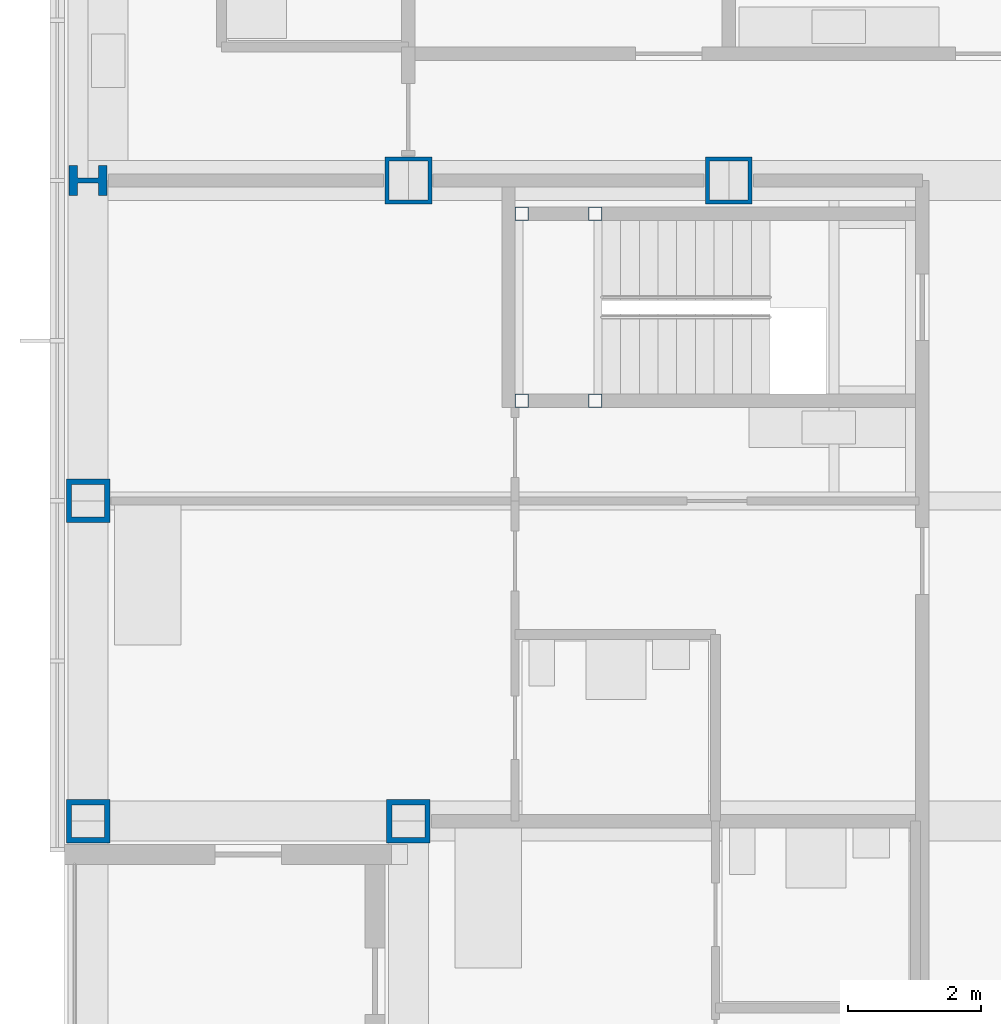
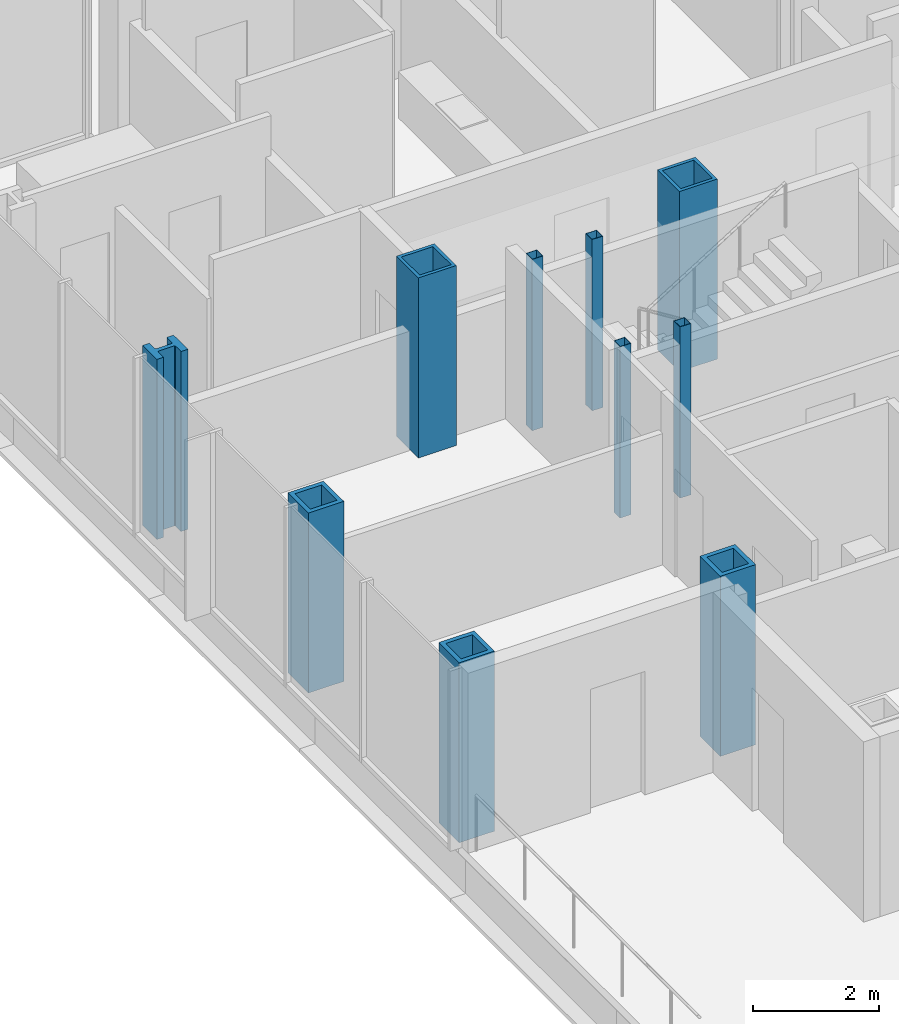
# One storey, part 3 of 19: 10 columns.
"""IFC4 building model written with IfcOpenShell, lengths in metres."""

from ifc_helpers import new_model, si_unit, direction, frame, origin, origin_2d, place, context, subcontext, project, spatial, hollow_rectangle, i_section, extrude, material, material_profile, profile_set, type_object, element, save


model = new_model("IFC4")

# Units and contexts
model_context = context("Model", 3, precision=1e-05, world=origin(), true_north=direction((0.0, 1.0)))
body_context = subcontext(model_context, "Body", "Model", "MODEL_VIEW")
ifc_project = project(units=[si_unit("LENGTHUNIT", "METRE"), si_unit("AREAUNIT", "SQUARE_METRE"), si_unit("VOLUMEUNIT", "CUBIC_METRE"), si_unit("PLANEANGLEUNIT", "RADIAN"), si_unit("MASSUNIT", "GRAM", prefix="KILO")], contexts=[model_context])

# Site, building, storey
site_placement = place(None, origin())
site = spatial("IfcSite", under=ifc_project, at=site_placement, CompositionType="ELEMENT")
building_placement = place(site_placement, origin())
building = spatial("IfcBuilding", under=site, at=building_placement, Name="Kvirike Care Tower", CompositionType="ELEMENT")
storey_placement = place(building_placement, frame((0.0, 0.0, 84.0)))
storey = spatial("IfcBuildingStorey", under=building, at=storey_placement, Name="L22", CompositionType="ELEMENT", Elevation=84.0)

# Columns
ifc_material_1 = material(Name="Steel S460", Category="steel")
ifc_material_profile_1 = material_profile(ifc_material_1, hollow_rectangle(XDim=0.64990234375, YDim=0.64990234375, WallThickness=0.080078125, at=origin_2d()), Name="BX 650x650x80")
ifc_profile_set_1 = profile_set([ifc_material_profile_1], Name="Steel S460")
column_type_1 = type_object("IfcColumnType", Name="COLUMN BX 650x650x80", PredefinedType="COLUMN", material=ifc_profile_set_1)
for number, where, z_axis, x_axis, name in (
    (1, (0.0, 33.60009765625, 0.0), (0.0, 0.0, 1.0), (0.0, 1.0, 0.0), "Column H3 L22"),
    (2, (0.0, 38.39990234375, 0.0), (0.0, 0.0, 1.0), (1.0, 0.0, 0.0), "Column J3 L22"),
    (3, (4.800048828125, 33.60009765625, 0.0), (0.0, 0.0, 1.0), (0.0, 1.0, 0.0), "Column H4 L22"),
):
    element("IfcColumn", number, at=place(storey_placement, frame(where, z_axis=z_axis, x_axis=x_axis)), inside=storey, type_object=column_type_1, Name=name, PredefinedType="COLUMN", context=body_context, shape_type="SweptSolid", body=[
        extrude(hollow_rectangle(XDim=0.64990234375, YDim=0.64990234375, WallThickness=0.080078125, at=origin_2d()), origin(), (0.0, 0.0, 1.0), 3.5),
    ])
ifc_material_2 = material(Name="Steel S460", Category="steel")
ifc_material_profile_2 = material_profile(ifc_material_2, hollow_rectangle(XDim=0.699951171875, YDim=0.699951171875, WallThickness=0.06005859375, at=origin_2d()), Name="BX 700x700x60")
ifc_profile_set_2 = profile_set([ifc_material_profile_2], Name="Steel S460")
column_type_2 = type_object("IfcColumnType", Name="COLUMN BX 700x700x60", PredefinedType="COLUMN", material=ifc_profile_set_2)
for number, where, z_axis, x_axis, name in (
    (4, (4.800048828125, 43.199951171875, 0.0), (0.0, 0.0, 1.0), (0.0, 1.0, 0.0), "Column K4 L22"),
    (5, (9.60009765625, 43.199951171875, 0.0), (0.0, 0.0, 1.0), (0.0, 1.0, 0.0), "Column K5 L22"),
):
    element("IfcColumn", number, at=place(storey_placement, frame(where, z_axis=z_axis, x_axis=x_axis)), inside=storey, type_object=column_type_2, Name=name, PredefinedType="COLUMN", context=body_context, shape_type="SweptSolid", body=[
        extrude(hollow_rectangle(XDim=0.699951171875, YDim=0.699951171875, WallThickness=0.06005859375, at=origin_2d()), origin(), (0.0, 0.0, 1.0), 3.5),
    ])
ifc_material_3 = material(Name="Steel S460", Category="steel")
ifc_material_profile_3 = material_profile(ifc_material_3, i_section(OverallWidth=0.4541015625, OverallDepth=0.569091796875, WebThickness=0.077880859375, FlangeThickness=0.125, FilletRadius=0.014892578125, at=origin_2d()), Name="HD 400x1086")
ifc_profile_set_3 = profile_set([ifc_material_profile_3], Name="Steel S460")
column_type_3 = type_object("IfcColumnType", Name="COLUMN HD 400x1086", PredefinedType="COLUMN", material=ifc_profile_set_3)
column_placement = place(storey_placement, frame((0.0, 43.199951171875, 0.0), z_axis=(0.0, 0.0, 1.0), x_axis=(0.0, 1.0, 0.0)))
element("IfcColumn", 6, at=column_placement, inside=storey, type_object=column_type_3, Name="Column K3 L22", PredefinedType="COLUMN", context=body_context, shape_type="SweptSolid", body=[
    extrude(i_section(OverallWidth=0.4541015625, OverallDepth=0.569091796875, WebThickness=0.077880859375, FlangeThickness=0.125, FilletRadius=0.014892578125, at=origin_2d()), origin(), (0.0, 0.0, 1.0), 3.5),
])
ifc_material_4 = material(Name="Steel S460", Category="steel")
ifc_material_profile_4 = material_profile(ifc_material_4, hollow_rectangle(XDim=0.199951171875, YDim=0.199951171875, WallThickness=0.008056640625, at=origin_2d()), Name="SHS 200x200x8")
ifc_profile_set_4 = profile_set([ifc_material_profile_4], Name="Steel S460")
column_type_4 = type_object("IfcColumnType", Name="STAIR POST SHS 200x200x8", PredefinedType="COLUMN", material=ifc_profile_set_4)
for number, where, z_axis, x_axis, name in (
    (7, (6.5, 42.699951171875, 0.0), (0.0, 0.0, 1.0), (1.0, 0.0, 0.0), "Stair 1 post 1 L22"),
    (8, (6.5, 39.89990234375, 0.0), (0.0, 0.0, 1.0), (1.0, 0.0, 0.0), "Stair 1 post 2 L22"),
    (9, (7.60009765625, 42.699951171875, 0.0), (0.0, 0.0, 1.0), (1.0, 0.0, 0.0), "Stair 1 post 3 L22"),
    (10, (7.60009765625, 39.89990234375, 0.0), (0.0, 0.0, 1.0), (1.0, 0.0, 0.0), "Stair 1 post 4 L22"),
):
    element("IfcColumn", number, at=place(storey_placement, frame(where, z_axis=z_axis, x_axis=x_axis)), inside=storey, type_object=column_type_4, Name=name, PredefinedType="COLUMN", context=body_context, shape_type="SweptSolid", body=[
        extrude(hollow_rectangle(XDim=0.199951171875, YDim=0.199951171875, WallThickness=0.008056640625, at=origin_2d()), origin(), (0.0, 0.0, 1.0), 3.330078125),
    ])

save(model, "model.ifc")
